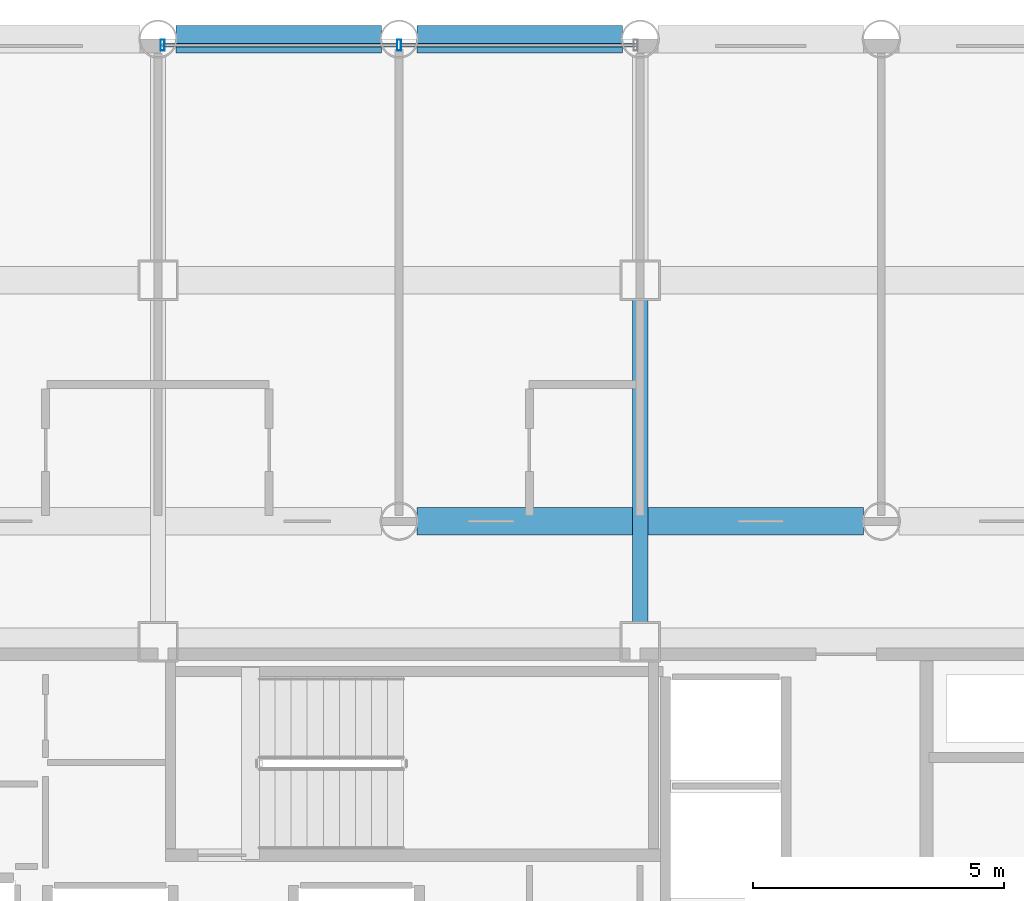
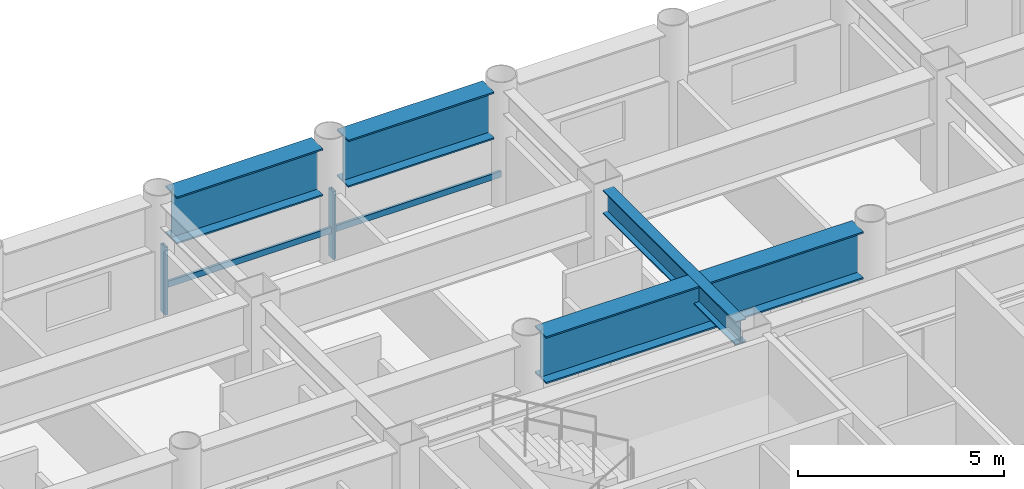
# One storey, part 11 of 21: 4 beams, 4 members, 1 element without a shape of its own.
"""IFC4 building model written with IfcOpenShell, lengths in metres."""

from ifc_helpers import new_model, si_unit, direction, frame, origin, origin_2d, place, context, subcontext, project, spatial, hollow_rectangle, i_section, extrude, material, layer, layer_set, material_profile, profile_set, type_object, element, aggregate, save


model = new_model("IFC4")

# Units and contexts
model_context = context("Model", 3, precision=1e-05, world=origin(), true_north=direction((0.0, 1.0)))
body_context = subcontext(model_context, "Body", "Model", "MODEL_VIEW")
ifc_project = project(units=[si_unit("LENGTHUNIT", "METRE"), si_unit("AREAUNIT", "SQUARE_METRE"), si_unit("VOLUMEUNIT", "CUBIC_METRE"), si_unit("PLANEANGLEUNIT", "RADIAN"), si_unit("MASSUNIT", "GRAM", prefix="KILO")], contexts=[model_context])

# Site, building, storey
site_placement = place(None, origin())
site = spatial("IfcSite", under=ifc_project, at=site_placement, CompositionType="ELEMENT")
building_placement = place(site_placement, origin())
building = spatial("IfcBuilding", under=site, at=building_placement, Name="Kallvorn Hotel Tower", CompositionType="ELEMENT")
storey_placement = place(building_placement, frame((0.0, 0.0, 85.5)))
storey = spatial("IfcBuildingStorey", under=building, at=storey_placement, Name="L20", CompositionType="ELEMENT", Elevation=85.5)

# Beams
ifc_material_1 = material(Name="Structural steel S355JR", Category="steel")
ifc_material_profile_1 = material_profile(ifc_material_1, i_section(OverallWidth=0.300048828125, OverallDepth=0.699951171875, WebThickness=0.01708984375, FlangeThickness=0.031982421875, at=origin_2d()), Name="HE 700 B")
ifc_profile_set_1 = profile_set([ifc_material_profile_1], Name="Structural steel S355JR")
beam_type_1 = type_object("IfcBeamType", Name="BM_HE700B", PredefinedType="BEAM", material=ifc_profile_set_1)
beam_1_placement = place(storey_placement, frame((4.800048828125, 7.574951171875, 3.10009765625), z_axis=(0.0, 1.0, 0.0), x_axis=(-1.0, 0.0, 0.0)))
element("IfcBeam", 1, at=beam_1_placement, inside=storey, type_object=beam_type_1, Name="L21 Primary Y-Girder 116", PredefinedType="BEAM", context=body_context, shape_type="SweptSolid", body=[
    extrude(i_section(OverallWidth=0.300048828125, OverallDepth=0.699951171875, WebThickness=0.01708984375, FlangeThickness=0.031982421875, at=origin_2d()), origin(), (0.0, 0.0, 1.0), 6.449951171875),
])
ifc_material_2 = material(Name="Structural steel S355JR", Category="steel")
ifc_material_profile_2 = material_profile(ifc_material_2, i_section(OverallWidth=0.550048828125, OverallDepth=1.39990234375, WebThickness=0.02490234375, FlangeThickness=0.044921875, at=origin_2d()), Name="PG 1400x550x25x45")
ifc_profile_set_2 = profile_set([ifc_material_profile_2], Name="Structural steel S355JR")
beam_type_2 = type_object("IfcBeamType", Name="BM_PG_1400", PredefinedType="BEAM", material=ifc_profile_set_2)
beam_2_placement = place(storey_placement, frame((0.35595703125, 9.60009765625, 2.75), z_axis=(1.0, 0.0, 0.0), x_axis=(0.0, 1.0, 0.0)))
element("IfcBeam", 2, at=beam_2_placement, inside=storey, type_object=beam_type_2, Name="L21 Primary X-Girder 46", PredefinedType="BEAM", context=body_context, shape_type="SweptSolid", body=[
    extrude(i_section(OverallWidth=0.550048828125, OverallDepth=1.39990234375, WebThickness=0.02490234375, FlangeThickness=0.044921875, at=origin_2d()), origin(), (0.0, 0.0, 1.0), 8.887939453125),
])
for number, where, z_axis, x_axis, name in (
    (3, (-4.444091796875, 19.199951171875, 2.75), (1.0, 0.0, 0.0), (0.0, 1.0, 0.0), "L21 Primary X-Girder 66"),
    (4, (0.35595703125, 19.199951171875, 2.75), (1.0, 0.0, 0.0), (0.0, 1.0, 0.0), "L21 Primary X-Girder 67"),
):
    element("IfcBeam", number, at=place(storey_placement, frame(where, z_axis=z_axis, x_axis=x_axis)), inside=storey, type_object=beam_type_2, Name=name, PredefinedType="BEAM", context=body_context, shape_type="SweptSolid", body=[
        extrude(i_section(OverallWidth=0.550048828125, OverallDepth=1.39990234375, WebThickness=0.02490234375, FlangeThickness=0.044921875, at=origin_2d()), origin(), (0.0, 0.0, 1.0), 4.088134765625),
    ])

# Curtain wall, members
ifc_material_3 = material(Name="Thermally broken black-anodised aluminium AA 6063-T6", Category="aluminium")
ifc_layer = layer(ifc_material_3, 0.199951171875)
ifc_layer_set = layer_set([ifc_layer], Name="CW_SYS_3_HOTEL_LOW")
curtain_wall_type = type_object("IfcCurtainWallType", Name="CW_SYS_3_HOTEL_LOW", PredefinedType="USERDEFINED", material=ifc_layer_set)
curtain_wall_placement = place(storey_placement, origin())
curtain_wall = element("IfcCurtainWall", 5, at=curtain_wall_placement, inside=storey, type_object=curtain_wall_type, Name="L20 Dark-Glass Curtain Wall CW-L20-NC", ObjectType="UNITISED CURTAIN WALL", PredefinedType="USERDEFINED")
ifc_material_4 = material(Name="Thermally broken black-anodised aluminium AA 6063-T6", Category="aluminium")
ifc_material_profile_3 = material_profile(ifc_material_4, hollow_rectangle(XDim=0.080078125, YDim=0.219970703125, WallThickness=0.0048828125, at=origin_2d()), Name="MUL 220x80")
ifc_profile_set_3 = profile_set([ifc_material_profile_3], Name="Thermally broken black-anodised aluminium AA 6063-T6")
member_type_1 = type_object("IfcMemberType", Name="CW_MULLION_220x80", PredefinedType="MULLION", material=ifc_profile_set_3)
member_1_placement = place(storey_placement, frame((-4.7099609375, 19.080078125, 0.02001953125), z_axis=(0.0, 0.0, 1.0), x_axis=(1.0, 0.0, 0.0)))
member_1 = element("IfcMember", 6, at=member_1_placement, type_object=member_type_1, Name="CW-L20-NC Mullion 00", PredefinedType="MULLION", context=body_context, shape_type="SweptSolid", body=[
    extrude(hollow_rectangle(XDim=0.080078125, YDim=0.219970703125, WallThickness=0.0048828125, at=origin_2d()), origin(), (0.0, 0.0, 1.0), 2.010009765625),
])
member_2_placement = place(storey_placement, frame((0.0, 19.080078125, 0.02001953125), z_axis=(0.0, 0.0, 1.0), x_axis=(1.0, 0.0, 0.0)))
member_2 = element("IfcMember", 7, at=member_2_placement, type_object=member_type_1, Name="CW-L20-NC Mullion 01", PredefinedType="MULLION", context=body_context, shape_type="SweptSolid", body=[
    extrude(hollow_rectangle(XDim=0.080078125, YDim=0.219970703125, WallThickness=0.0048828125, at=origin_2d()), origin(), (0.0, 0.0, 1.0), 2.010009765625),
])
ifc_material_5 = material(Name="Thermally broken black-anodised aluminium AA 6063-T6", Category="aluminium")
ifc_material_profile_4 = material_profile(ifc_material_5, hollow_rectangle(XDim=0.070068359375, YDim=0.179931640625, WallThickness=0.00390625, at=origin_2d()), Name="TRN 180x70")
ifc_profile_set_4 = profile_set([ifc_material_profile_4], Name="Thermally broken black-anodised aluminium AA 6063-T6")
member_type_2 = type_object("IfcMemberType", Name="CW_TRANSOM_180x70", PredefinedType="USERDEFINED", material=ifc_profile_set_4)
member_3_placement = place(storey_placement, frame((-4.7099609375, 19.080078125, 0.85009765625), z_axis=(1.0, 0.0, 0.0), x_axis=(0.0, 1.0, 0.0)))
member_3 = element("IfcMember", 8, at=member_3_placement, type_object=member_type_2, Name="CW-L20-NC Transom 00M", ObjectType="TRANSOM", PredefinedType="USERDEFINED", context=body_context, shape_type="SweptSolid", body=[
    extrude(hollow_rectangle(XDim=0.070068359375, YDim=0.179931640625, WallThickness=0.00390625, at=origin_2d()), origin(), (0.0, 0.0, 1.0), 4.669921875),
])
member_4_placement = place(storey_placement, frame((0.0400390625, 19.080078125, 0.85009765625), z_axis=(1.0, 0.0, 0.0), x_axis=(0.0, 1.0, 0.0)))
member_4 = element("IfcMember", 9, at=member_4_placement, type_object=member_type_2, Name="CW-L20-NC Transom 01M", ObjectType="TRANSOM", PredefinedType="USERDEFINED", context=body_context, shape_type="SweptSolid", body=[
    extrude(hollow_rectangle(XDim=0.070068359375, YDim=0.179931640625, WallThickness=0.00390625, at=origin_2d()), origin(), (0.0, 0.0, 1.0), 4.669921875),
])
aggregate(curtain_wall, [member_1, member_2, member_3, member_4])

save(model, "model.ifc")
